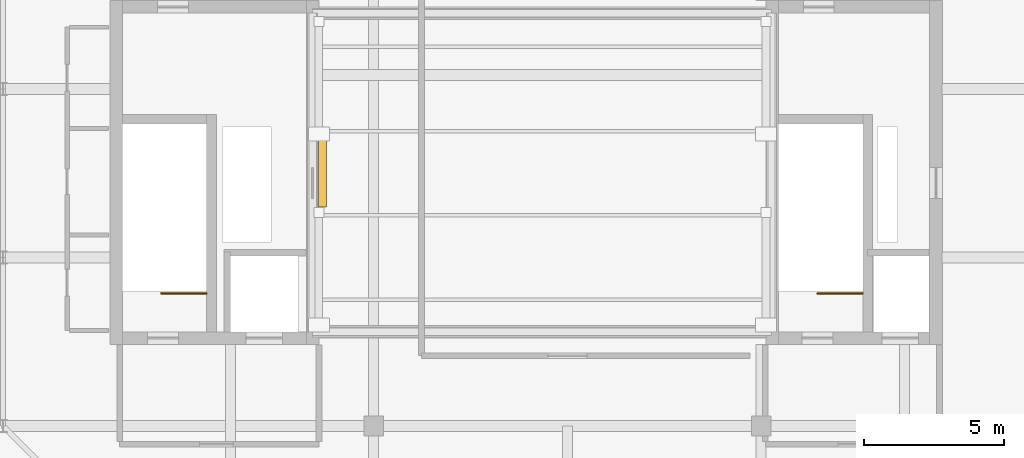
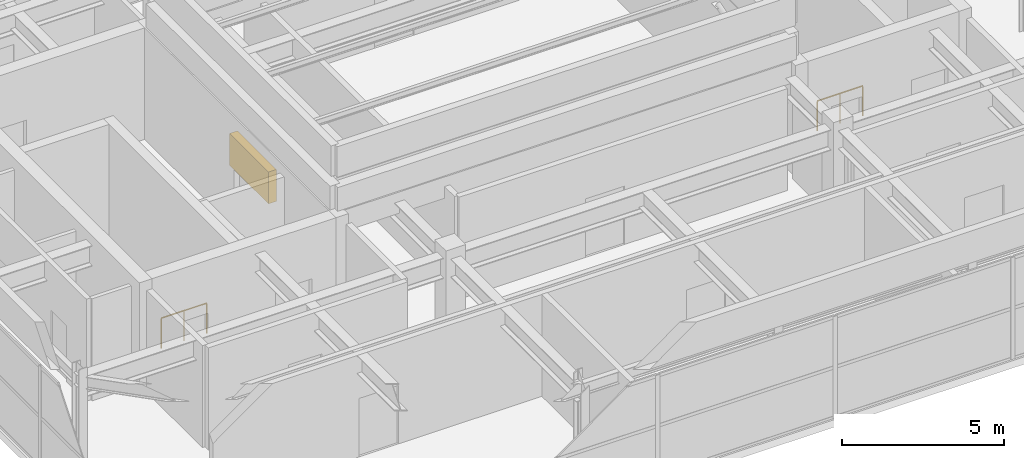
# One storey, part 33 of 33: 2 railings, 1 shading device.
"""IFC4 building model written with IfcOpenShell, lengths in metres."""

import ifcopenshell
import ifcopenshell.guid

model = None  # the IFC model being written
_history = None  # IfcOwnerHistory: only IFC2X3 demands one
_inside = {}  # id of a spatial element -> (the spatial element, [elements in it])
_under = {}  # id of a project, library or spatial element -> (it, [spatial elements below it])
_declared = {}  # id of a project -> (the project, [libraries it declares])
_typed = {}  # id of a type object -> (the type object, [elements of that type])
_made_of = {}  # id of a material, layer set ... -> (it, [elements and type objects made of it])


def new_model(schema):
    """Start an empty IFC model of exactly this schema.

    Asked for "IFC4X3", IfcOpenShell would pick the latest addendum, in which some entities
    have other attributes; the version numbers below select the first issue.
    IFC2X3 requires an IfcOwnerHistory on every rooted entity: one is made here for all.
    """
    global model, _history
    if schema == "IFC4X3":
        model = ifcopenshell.file(schema_version=(4, 3, 0, 0))
    else:
        model = ifcopenshell.file(schema=schema)
    _inside.clear()
    _under.clear()
    _declared.clear()
    _typed.clear()
    _made_of.clear()
    _history = None
    if model.schema == "IFC2X3":
        org = make("IfcOrganization", Name="unknown")
        user = make(
            "IfcPersonAndOrganization",
            ThePerson=make("IfcPerson", FamilyName="unknown"),
            TheOrganization=org,
        )
        app = make(
            "IfcApplication",
            ApplicationDeveloper=org,
            Version="unknown",
            ApplicationFullName="unknown",
            ApplicationIdentifier="unknown",
        )
        _history = make(
            "IfcOwnerHistory",
            OwningUser=user,
            OwningApplication=app,
            ChangeAction="ADDED",
            CreationDate=0,
        )
    return model


def make(cls, **values):
    """One entity of the class cls with the attributes given. An attribute that is None is left unset."""
    return model.create_entity(
        cls, **{name: value for name, value in values.items() if value is not None}
    )


def rooted(cls, **values):
    """An entity with a GlobalId (a new one), such as an element, a storey or a relation."""
    return make(cls, GlobalId=ifcopenshell.guid.new(), OwnerHistory=_history, **values)


def si_unit(unit_type, name, prefix=None):
    """IfcSIUnit, for example si_unit("LENGTHUNIT", "METRE", prefix="MILLI")."""
    return make("IfcSIUnit", UnitType=unit_type, Prefix=prefix, Name=name)


def assignment(units):
    """IfcUnitAssignment: the units of a project."""
    return None if units is None else make("IfcUnitAssignment", Units=units)


def point(xyz):
    """IfcCartesianPoint."""
    return None if xyz is None else make("IfcCartesianPoint", Coordinates=xyz)


def direction(xyz):
    """IfcDirection."""
    return None if xyz is None else make("IfcDirection", DirectionRatios=xyz)


def frame(location, z_axis=None, x_axis=None):
    """IfcAxis2Placement3D, a coordinate frame: its origin and axes. An axis left out is left unset."""
    return make(
        "IfcAxis2Placement3D",
        Location=point(location),
        Axis=direction(z_axis),
        RefDirection=direction(x_axis),
    )


def frame_2d(location, x_axis=None):
    """IfcAxis2Placement2D, a coordinate frame in the plane: its origin and x axis."""
    return make(
        "IfcAxis2Placement2D", Location=point(location), RefDirection=direction(x_axis)
    )


def origin():
    """The frame at (0, 0, 0) with its axes left unset."""
    return frame((0.0, 0.0, 0.0))


def origin_2d():
    """The frame at (0, 0) in the plane with its x axis left unset."""
    return frame_2d((0.0, 0.0))


def place(relative_to, where):
    """IfcLocalPlacement: puts the frame where relative to a parent placement (None: the world)."""
    return make(
        "IfcLocalPlacement", PlacementRelTo=relative_to, RelativePlacement=where
    )


def context(
    kind, dimensions, precision=None, world=None, true_north=None, identifier=None
):
    """IfcGeometricRepresentationContext, for example the 3D "Model" context."""
    return make(
        "IfcGeometricRepresentationContext",
        ContextIdentifier=identifier,
        ContextType=kind,
        CoordinateSpaceDimension=dimensions,
        Precision=precision,
        WorldCoordinateSystem=world,
        TrueNorth=true_north,
    )


def subcontext(parent, identifier, kind, view, scale=None):
    """IfcGeometricRepresentationSubContext, for example "Body" below "Model"."""
    return make(
        "IfcGeometricRepresentationSubContext",
        ContextIdentifier=identifier,
        ContextType=kind,
        ParentContext=parent,
        TargetScale=scale,
        TargetView=view,
    )


def project(units=None, contexts=None):
    """IfcProject with its units and contexts."""
    return rooted(
        "IfcProject",
        Name="project",
        RepresentationContexts=contexts,
        UnitsInContext=assignment(units),
    )


def spatial(cls, under=None, at=None, **own):
    """A site, building, storey or space (cls), placed at a placement, below another one or the project."""
    s = rooted(cls, ObjectPlacement=at, **own)
    if under is not None:
        _under.setdefault(under.id(), (under, []))[1].append(s)
    return s


def profile(cls, at=None, kind="AREA", **sizes):
    """A parametric profile (cls). Its sizes go by their IFC names, for example OverallWidth=200.0."""
    return make(cls, ProfileType=kind, Position=at, **sizes)


def rectangle(**sizes):
    """IfcRectangleProfileDef."""
    return profile("IfcRectangleProfileDef", **sizes)


def circle(**sizes):
    """IfcCircleProfileDef."""
    return profile("IfcCircleProfileDef", **sizes)


def extrude(swept, where, along, depth):
    """IfcExtrudedAreaSolid: the profile swept, set in the frame where, extruded along a direction by depth."""
    return make(
        "IfcExtrudedAreaSolid",
        SweptArea=swept,
        Position=where,
        ExtrudedDirection=direction(along),
        Depth=depth,
    )


def shape(context_of_items, identifier, shape_type, items):
    """IfcShapeRepresentation: the items that make up one representation, for example the "Body"."""
    return make(
        "IfcShapeRepresentation",
        ContextOfItems=context_of_items,
        RepresentationIdentifier=identifier,
        RepresentationType=shape_type,
        Items=items,
    )


def source(mapping_origin, context_of_items, identifier, shape_type, items):
    """IfcRepresentationMap: a shape defined once, which mapped items show again and again."""
    return make(
        "IfcRepresentationMap",
        MappingOrigin=mapping_origin,
        MappedRepresentation=shape(context_of_items, identifier, shape_type, items),
    )


def transform(
    local_origin,
    x_axis=None,
    y_axis=None,
    z_axis=None,
    scale=None,
    scale2=None,
    scale3=None,
    uniform=True,
):
    """IfcCartesianTransformationOperator3D, or its non-uniform kind. x_axis, y_axis, z_axis: its Axis1, 2, 3."""
    if uniform:
        return make(
            "IfcCartesianTransformationOperator3D",
            Axis1=direction(x_axis),
            Axis2=direction(y_axis),
            LocalOrigin=point(local_origin),
            Scale=scale,
            Axis3=direction(z_axis),
        )
    return make(
        "IfcCartesianTransformationOperator3DnonUniform",
        Axis1=direction(x_axis),
        Axis2=direction(y_axis),
        LocalOrigin=point(local_origin),
        Scale=scale,
        Axis3=direction(z_axis),
        Scale2=scale2,
        Scale3=scale3,
    )


def mapped(mapping_source, mapping_target):
    """IfcMappedItem: shows the shape of a source again, moved by a transform."""
    return make(
        "IfcMappedItem", MappingSource=mapping_source, MappingTarget=mapping_target
    )


def material(Name=None, Category=None):
    """IfcMaterial."""
    return make("IfcMaterial", Name=Name, Category=Category)


def layer(
    of_material, thickness, ventilated=None, Name=None, Category=None, Priority=None
):
    """IfcMaterialLayer: one layer of a wall or slab, of a material (None: an air gap)."""
    return make(
        "IfcMaterialLayer",
        Material=of_material,
        LayerThickness=thickness,
        IsVentilated=ventilated,
        Name=Name,
        Category=Category,
        Priority=Priority,
    )


def layer_set(layers, Name=None):
    """IfcMaterialLayerSet."""
    return make("IfcMaterialLayerSet", MaterialLayers=layers, LayerSetName=Name)


def made_of(thing, what):
    """Note that an element or type object is made of a material, layer set ...; save() writes the relation."""
    if what is not None:
        _made_of.setdefault(what.id(), (what, []))[1].append(thing)
    return thing


def type_object(cls, material=None, **own):
    """A type object (cls), such as IfcWallType, which elements share."""
    return made_of(rooted(cls, **own), material)


def element(
    cls,
    number,
    at=None,
    inside=None,
    cuts=None,
    type_object=None,
    material=None,
    context=None,
    identifier="Body",
    shape_type=None,
    held_by="IfcProductDefinitionShape",
    body=None,
    shapes=None,
    **own,
):
    """One element of the class cls, such as IfcWall. Its Tag is "e" and its number.

    at: its placement. inside: the storey or other place that contains it. cuts: it is an
    opening in that element (IfcRelVoidsElement). A single representation is given by context,
    identifier, shape_type and body (its items); several are given by shapes. held_by: the class
    of the entity that holds the representations. save() writes the other relations.
    """
    e = rooted(cls, Tag="e%d" % number, ObjectPlacement=at, **own)
    if body is not None:
        shapes = [shape(context, identifier, shape_type, body)]
    if shapes is not None:
        e.Representation = make(held_by, Representations=shapes)
    if inside is not None:
        _inside.setdefault(inside.id(), (inside, []))[1].append(e)
    if cuts is not None:
        rooted(
            "IfcRelVoidsElement", RelatingBuildingElement=cuts, RelatedOpeningElement=e
        )
    if type_object is not None:
        _typed.setdefault(type_object.id(), (type_object, []))[1].append(e)
    return made_of(e, material)


def aggregate(whole, parts):
    """IfcRelAggregates: a whole, such as a stair, and the parts it consists of."""
    return rooted("IfcRelAggregates", RelatingObject=whole, RelatedObjects=parts)


def save(model, path):
    """Write the relations noted so far, then the file.

    IfcRelAggregates (storeys below a building ...), IfcRelContainedInSpatialStructure (elements
    in a storey), IfcRelDefinesByType, IfcRelAssociatesMaterial and IfcRelDeclares: one each for
    every whole, place, type object, material and project.
    """
    for whole, parts in _under.values():
        aggregate(whole, parts)
    for where, things in _inside.values():
        rooted(
            "IfcRelContainedInSpatialStructure",
            RelatedElements=things,
            RelatingStructure=where,
        )
    for kind, things in _typed.values():
        rooted("IfcRelDefinesByType", RelatedObjects=things, RelatingType=kind)
    for what, things in _made_of.values():
        rooted("IfcRelAssociatesMaterial", RelatedObjects=things, RelatingMaterial=what)
    for by, libraries in _declared.values():
        rooted("IfcRelDeclares", RelatingContext=by, RelatedDefinitions=libraries)
    model.write(path)


model = new_model("IFC4")

# Units and contexts
model_context = context("Model", 3, precision=1e-05, world=origin(), true_north=direction((0.0, 1.0)))
body_context = subcontext(model_context, "Body", "Model", "MODEL_VIEW")
ifc_project = project(units=[si_unit("LENGTHUNIT", "METRE"), si_unit("AREAUNIT", "SQUARE_METRE"), si_unit("VOLUMEUNIT", "CUBIC_METRE"), si_unit("PLANEANGLEUNIT", "RADIAN"), si_unit("MASSUNIT", "GRAM", prefix="KILO")], contexts=[model_context])

# Site, building, storey
site_placement = place(None, origin())
site = spatial("IfcSite", under=ifc_project, at=site_placement, CompositionType="ELEMENT")
building_placement = place(site_placement, origin())
building = spatial("IfcBuilding", under=site, at=building_placement, Name="Khoralis Quay Care Tower", CompositionType="ELEMENT")
storey_placement = place(building_placement, frame((0.0, 0.0, 314.699951171875)))
storey = spatial("IfcBuildingStorey", under=building, at=storey_placement, Name="L82", CompositionType="ELEMENT", Elevation=314.699951171875)

# Railings
ifc_material_1 = material(Name="Brushed stainless steel", Category="steel")
railing_type = type_object("IfcRailingType", Name="RL-GUARD-1150", PredefinedType="GUARDRAIL", material=ifc_material_1)
railing_1_placement = place(storey_placement, frame((11.14990234375, 16.719970703125, 0.0)))
element("IfcRailing", 1, at=railing_1_placement, inside=storey, type_object=railing_type, Name="L82 ST-T1 top well guard 1", PredefinedType="GUARDRAIL", context=body_context, shape_type="SweptSolid", body=[
    extrude(circle(Radius=0.02392578125, at=origin_2d()), frame((0.0, 0.0, 1.1259765625), z_axis=(-1.0, 0.0, 0.0), x_axis=(0.0, -1.0, 0.0)), (0.0, 0.0, 1.0), 1.619873046875),
    extrude(circle(Radius=0.02099609375, at=origin_2d()), origin(), (0.0, 0.0, 1.0), 1.101806640625),
    extrude(circle(Radius=0.02099609375, at=origin_2d()), frame((-0.81005859375, 0.0, 0.0)), (0.0, 0.0, 1.0), 1.101806640625),
    extrude(circle(Radius=0.02099609375, at=origin_2d()), frame((-1.619873046875, 0.0, 0.0)), (0.0, 0.0, 1.0), 1.101806640625),
])
railing_2_placement = place(storey_placement, frame((34.52001953125, 16.719970703125, 0.0)))
element("IfcRailing", 2, at=railing_2_placement, inside=storey, type_object=railing_type, Name="L82 ST-T2 top well guard 1", PredefinedType="GUARDRAIL", context=body_context, shape_type="SweptSolid", body=[
    extrude(circle(Radius=0.02392578125, at=origin_2d()), frame((0.0, 0.0, 1.1259765625), z_axis=(-1.0, 0.0, 0.0), x_axis=(0.0, -1.0, 0.0)), (0.0, 0.0, 1.0), 1.6201171875),
    extrude(circle(Radius=0.02099609375, at=origin_2d()), origin(), (0.0, 0.0, 1.0), 1.101806640625),
    extrude(circle(Radius=0.02099609375, at=origin_2d()), frame((-0.81005859375, 0.0, 0.0)), (0.0, 0.0, 1.0), 1.101806640625),
    extrude(circle(Radius=0.02099609375, at=origin_2d()), frame((-1.6201171875, 0.0, 0.0)), (0.0, 0.0, 1.0), 1.101806640625),
])

# Shading device
ifc_material_2 = material(Name="Brushed pale anodised aluminium", Category="aluminium")
ifc_layer = layer(ifc_material_2, 0.080078125)
ifc_layer_set = layer_set([ifc_layer], Name="Brushed pale anodised aluminium")
shading_device_type = type_object("IfcShadingDeviceType", Name="SHD-LOUVRE-300", PredefinedType="USERDEFINED", material=ifc_layer_set)
shared_shape = source(origin(), body_context, "Body", "SweptSolid", [
    extrude(rectangle(XDim=0.280029296875, YDim=2.39990234375, at=origin_2d()), origin(), (0.0, 0.0, 1.0), 1.199951171875),
])
shading_device_placement = place(storey_placement, frame((15.27001953125, 21.0, 1.60009765625), z_axis=(0.0, 0.0, 1.0), x_axis=(1.0, 0.0, 0.0)))
element("IfcShadingDevice", 3, at=shading_device_placement, inside=storey, type_object=shading_device_type, Name="L82 Lantern Acoustic Intake Louvre", ObjectType="LOUVRE", PredefinedType="USERDEFINED", context=body_context, shape_type="MappedRepresentation", body=[
    mapped(shared_shape, transform((0.0, 0.0, 0.0), scale=1.0)),
])

save(model, "model.ifc")
